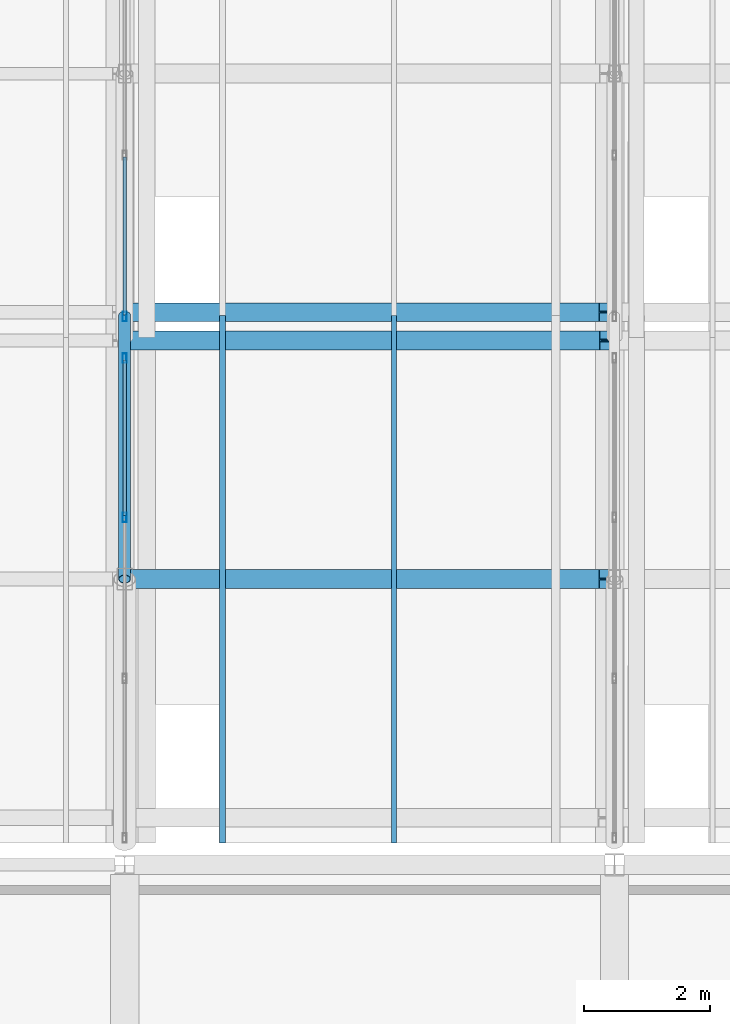
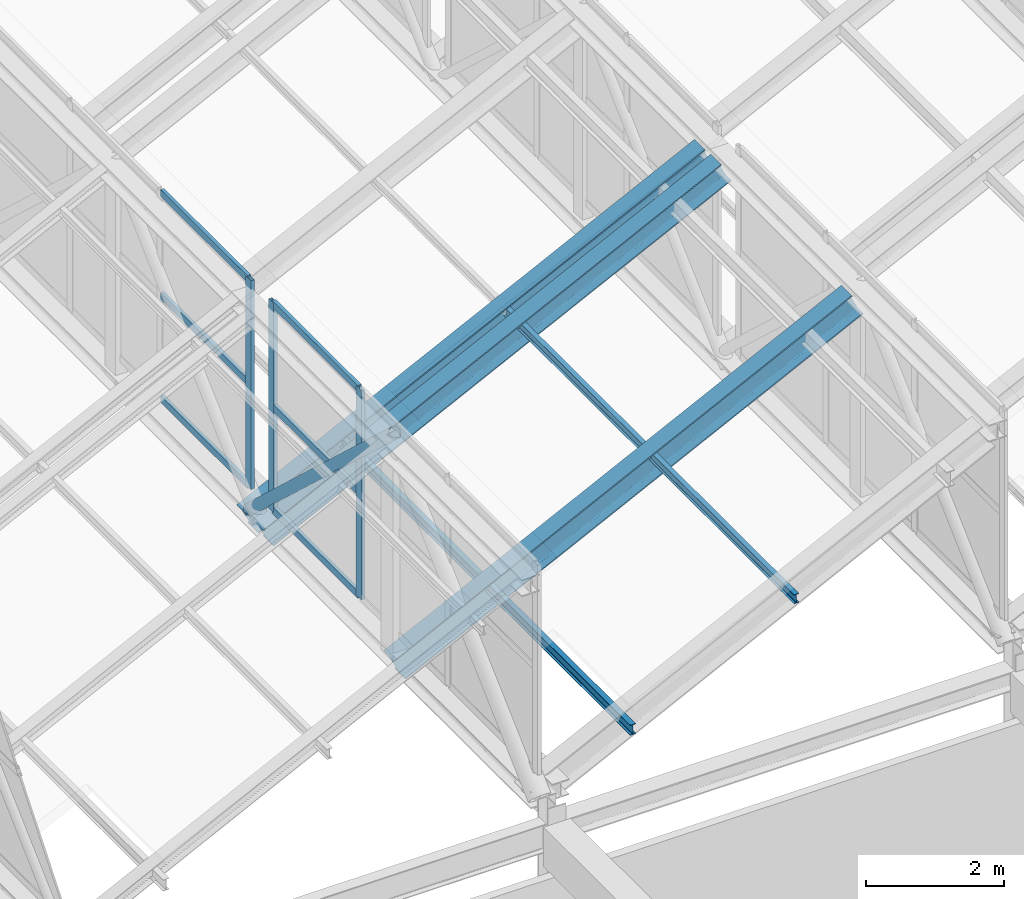
# One storey, part 27 of 101: 15 members, 2 elements without a shape of their own.
"""IFC4 building model written with IfcOpenShell, lengths in metres."""

from ifc_helpers import new_model, si_unit, direction, frame, origin, origin_2d, place, context, subcontext, project, spatial, hollow_rectangle, hollow_circle, i_section, extrude, material, layer, layer_set, material_profile, profile_set, type_object, element, aggregate, save


model = new_model("IFC4")

# Units and contexts
model_context = context("Model", 3, precision=1e-05, world=origin(), true_north=direction((0.0, 1.0)))
body_context = subcontext(model_context, "Body", "Model", "MODEL_VIEW")
ifc_project = project(units=[si_unit("LENGTHUNIT", "METRE"), si_unit("AREAUNIT", "SQUARE_METRE"), si_unit("VOLUMEUNIT", "CUBIC_METRE"), si_unit("PLANEANGLEUNIT", "RADIAN"), si_unit("MASSUNIT", "GRAM", prefix="KILO")], contexts=[model_context])

# Site, building, storey
site_placement = place(None, origin())
site = spatial("IfcSite", under=ifc_project, at=site_placement, CompositionType="ELEMENT")
building_placement = place(site_placement, origin())
building = spatial("IfcBuilding", under=site, at=building_placement, Name="Zizhar Promenade General Hospital", CompositionType="ELEMENT")
storey_placement = place(building_placement, frame((0.0, 0.0, 14.39990234375)))
storey = spatial("IfcBuildingStorey", under=building, at=storey_placement, Name="L03", CompositionType="ELEMENT", Elevation=14.39990234375)

# Curtain wall, members
ifc_material_1 = material(Name="Anodised aluminium 6063-T6 and low-E glass", Category="aluminium")
ifc_layer_1 = layer(ifc_material_1, 0.159912109375)
ifc_layer_set_1 = layer_set([ifc_layer_1], Name="Anodised aluminium 6063-T6 and low-E glass")
curtain_wall_type_1 = type_object("IfcCurtainWallType", Name="CW-SAW-NL1", PredefinedType="NOTDEFINED", material=ifc_layer_set_1)
curtain_wall_1_placement = place(storey_placement, origin())
curtain_wall_1 = element("IfcCurtainWall", 1, at=curtain_wall_1_placement, inside=storey, type_object=curtain_wall_type_1, Name="Sawtooth Clerestory Light B4-S1", PredefinedType="NOTDEFINED")
ifc_material_2 = material(Name="Anodised aluminium 6063-T6", Category="aluminium")
ifc_material_profile_1 = material_profile(ifc_material_2, hollow_rectangle(XDim=0.06005859375, YDim=0.14990234375, WallThickness=0.00390625, at=origin_2d()))
ifc_profile_set_1 = profile_set([ifc_material_profile_1], Name="Anodised aluminium 6063-T6")
member_type_1 = type_object("IfcMemberType", Name="CWM-ALU-150x60", PredefinedType="MULLION", material=ifc_profile_set_1)
member_1_placement = place(storey_placement, frame((101.39990234375, 30.7333984375, 3.85009765625), z_axis=(0.0, 0.0, 1.0), x_axis=(-1.0, 0.0, 0.0)))
member_1 = element("IfcMember", 2, at=member_1_placement, type_object=member_type_1, Name="CW-03 mullion 3", PredefinedType="MULLION", context=body_context, shape_type="SweptSolid", body=[
    extrude(hollow_rectangle(XDim=0.06005859375, YDim=0.14990234375, WallThickness=0.00390625, at=origin_2d()), origin(), (0.0, 0.0, 1.0), 3.699951171875),
])
member_2_placement = place(storey_placement, frame((101.39990234375, 33.27001953125, 3.85009765625), z_axis=(0.0, 0.0, 1.0), x_axis=(-1.0, 0.0, 0.0)))
member_2 = element("IfcMember", 3, at=member_2_placement, type_object=member_type_1, Name="CW-03 mullion 4", PredefinedType="MULLION", context=body_context, shape_type="SweptSolid", body=[
    extrude(hollow_rectangle(XDim=0.06005859375, YDim=0.14990234375, WallThickness=0.00390625, at=origin_2d()), origin(), (0.0, 0.0, 1.0), 3.699951171875),
])

# Curtain wall, member
ifc_material_3 = material(Name="Anodised aluminium 6063-T6 and low-E glass", Category="aluminium")
ifc_layer_2 = layer(ifc_material_3, 0.159912109375)
ifc_layer_set_2 = layer_set([ifc_layer_2], Name="Anodised aluminium 6063-T6 and low-E glass")
curtain_wall_type_2 = type_object("IfcCurtainWallType", Name="CW-SAW-NL2", PredefinedType="NOTDEFINED", material=ifc_layer_set_2)
curtain_wall_2_placement = place(storey_placement, origin())
curtain_wall_2 = element("IfcCurtainWall", 4, at=curtain_wall_2_placement, inside=storey, type_object=curtain_wall_type_2, Name="Sawtooth Clerestory Light B4-S2", PredefinedType="NOTDEFINED")
member_3_placement = place(storey_placement, frame((101.39990234375, 33.929931640625, 3.85009765625), z_axis=(0.0, 0.0, 1.0), x_axis=(-1.0, 0.0, 0.0)))
member_3 = element("IfcMember", 5, at=member_3_placement, type_object=member_type_1, Name="CW-04 mullion 1", PredefinedType="MULLION", context=body_context, shape_type="SweptSolid", body=[
    extrude(hollow_rectangle(XDim=0.06005859375, YDim=0.14990234375, WallThickness=0.00390625, at=origin_2d()), origin(), (0.0, 0.0, 1.0), 3.699951171875),
])

# Member
ifc_material_4 = material(Name="Anodised aluminium 6063-T6", Category="aluminium")
ifc_material_profile_2 = material_profile(ifc_material_4, hollow_rectangle(XDim=0.06005859375, YDim=0.1201171875, WallThickness=0.00390625, at=origin_2d()))
ifc_profile_set_2 = profile_set([ifc_material_profile_2], Name="Anodised aluminium 6063-T6")
member_type_2 = type_object("IfcMemberType", Name="CWT-ALU-120x60", PredefinedType="USERDEFINED", material=ifc_profile_set_2)
member_4_placement = place(storey_placement, frame((101.39990234375, 30.763427734375, 3.880126953125), z_axis=(0.0, 1.0, 0.0), x_axis=(-1.0, 0.0, 0.0)))
member_4 = element("IfcMember", 6, at=member_4_placement, type_object=member_type_2, Name="CW-03 transom 3.1", ObjectType="TRANSOM", PredefinedType="USERDEFINED", context=body_context, shape_type="SweptSolid", body=[
    extrude(hollow_rectangle(XDim=0.06005859375, YDim=0.1201171875, WallThickness=0.00390625, at=origin_2d()), origin(), (0.0, 0.0, 1.0), 2.4765625),
])

member_5_placement = place(storey_placement, frame((101.39990234375, 30.763427734375, 5.7001953125), z_axis=(0.0, 1.0, 0.0), x_axis=(-1.0, 0.0, 0.0)))
member_5 = element("IfcMember", 7, at=member_5_placement, type_object=member_type_2, Name="CW-03 transom 3.2", ObjectType="TRANSOM", PredefinedType="USERDEFINED", context=body_context, shape_type="SweptSolid", body=[
    extrude(hollow_rectangle(XDim=0.06005859375, YDim=0.1201171875, WallThickness=0.00390625, at=origin_2d()), origin(), (0.0, 0.0, 1.0), 2.4765625),
])

member_6_placement = place(storey_placement, frame((101.39990234375, 30.763427734375, 7.52001953125), z_axis=(0.0, 1.0, 0.0), x_axis=(-1.0, 0.0, 0.0)))
member_6 = element("IfcMember", 8, at=member_6_placement, type_object=member_type_2, Name="CW-03 transom 3.3", ObjectType="TRANSOM", PredefinedType="USERDEFINED", context=body_context, shape_type="SweptSolid", body=[
    extrude(hollow_rectangle(XDim=0.06005859375, YDim=0.1201171875, WallThickness=0.00390625, at=origin_2d()), origin(), (0.0, 0.0, 1.0), 2.4765625),
])

aggregate(curtain_wall_1, [member_1, member_2, member_4, member_5, member_6])

member_7_placement = place(storey_placement, frame((101.39990234375, 33.9599609375, 3.880126953125), z_axis=(0.0, 1.0, 0.0), x_axis=(-1.0, 0.0, 0.0)))
member_7 = element("IfcMember", 9, at=member_7_placement, type_object=member_type_2, Name="CW-04 transom 1.1", ObjectType="TRANSOM", PredefinedType="USERDEFINED", context=body_context, shape_type="SweptSolid", body=[
    extrude(hollow_rectangle(XDim=0.06005859375, YDim=0.1201171875, WallThickness=0.00390625, at=origin_2d()), origin(), (0.0, 0.0, 1.0), 2.510009765625),
])

member_8_placement = place(storey_placement, frame((101.39990234375, 33.9599609375, 5.7001953125), z_axis=(0.0, 1.0, 0.0), x_axis=(-1.0, 0.0, 0.0)))
member_8 = element("IfcMember", 10, at=member_8_placement, type_object=member_type_2, Name="CW-04 transom 1.2", ObjectType="TRANSOM", PredefinedType="USERDEFINED", context=body_context, shape_type="SweptSolid", body=[
    extrude(hollow_rectangle(XDim=0.06005859375, YDim=0.1201171875, WallThickness=0.00390625, at=origin_2d()), origin(), (0.0, 0.0, 1.0), 2.510009765625),
])

member_9_placement = place(storey_placement, frame((101.39990234375, 33.9599609375, 7.52001953125), z_axis=(0.0, 1.0, 0.0), x_axis=(-1.0, 0.0, 0.0)))
member_9 = element("IfcMember", 11, at=member_9_placement, type_object=member_type_2, Name="CW-04 transom 1.3", ObjectType="TRANSOM", PredefinedType="USERDEFINED", context=body_context, shape_type="SweptSolid", body=[
    extrude(hollow_rectangle(XDim=0.06005859375, YDim=0.1201171875, WallThickness=0.00390625, at=origin_2d()), origin(), (0.0, 0.0, 1.0), 2.510009765625),
])

aggregate(curtain_wall_2, [member_3, member_7, member_8, member_9])

# Members
ifc_material_5 = material(Name="Steel S355", Category="steel")
ifc_material_profile_3 = material_profile(ifc_material_5, hollow_circle(Radius=0.096923828125, WallThickness=0.008056640625, at=origin_2d()))
ifc_profile_set_3 = profile_set([ifc_material_profile_3], Name="Steel S355")
member_type_3 = type_object("IfcMemberType", Name="MEM-DIAG-CHS194", PredefinedType="BRACE", material=ifc_profile_set_3)
member_10_placement = place(storey_placement, frame((101.39990234375, 33.949951171875, 3.4501953125), z_axis=(0.0, -0.732798043082, 0.680446197767), x_axis=(1.0, 0.0, 0.0)))
element("IfcMember", 12, at=member_10_placement, inside=storey, type_object=member_type_3, Name="Sawtooth Truss Frame 5 Diagonal B1", PredefinedType="BRACE", context=body_context, shape_type="SweptSolid", body=[
    extrude(hollow_circle(Radius=0.096923828125, WallThickness=0.008056640625, at=origin_2d()), origin(), (0.0, 0.0, 1.0), 5.7314453125),
])
ifc_material_6 = material(Name="Steel S355", Category="steel")
ifc_material_profile_4 = material_profile(ifc_material_6, i_section(OverallWidth=0.08203125, OverallDepth=0.159912109375, WebThickness=0.0048828125, FlangeThickness=0.00732421875, FilletRadius=0.009033203125, at=origin_2d()))
ifc_profile_set_4 = profile_set([ifc_material_profile_4], Name="Steel S355")
member_type_4 = type_object("IfcMemberType", Name="MEM-PURL-IPE160", PredefinedType="PURLIN", material=ifc_profile_set_4)
member_11_placement = place(storey_placement, frame((105.68994140625, 25.550048828125, 5.464599609375), z_axis=(0.0, 1.0, 0.0), x_axis=(-1.0, 0.0, 0.0)))
element("IfcMember", 13, at=member_11_placement, inside=storey, type_object=member_type_4, Name="Sawtooth Bay 5 Purlin 1-2", PredefinedType="PURLIN", context=body_context, shape_type="SweptSolid", body=[
    extrude(i_section(OverallWidth=0.08203125, OverallDepth=0.159912109375, WebThickness=0.0048828125, FlangeThickness=0.00732421875, FilletRadius=0.009033203125, at=origin_2d()), origin(), (0.0, 0.0, 1.0), 8.39990234375),
])
ifc_material_7 = material(Name="Steel S355", Category="steel")
ifc_material_profile_5 = material_profile(ifc_material_7, i_section(OverallWidth=0.091064453125, OverallDepth=0.179931640625, WebThickness=0.00537109375, FlangeThickness=0.008056640625, FilletRadius=0.009033203125, at=origin_2d()))
ifc_profile_set_5 = profile_set([ifc_material_profile_5], Name="Steel S355")
member_type_5 = type_object("IfcMemberType", Name="MEM-PURL-IPE180", PredefinedType="PURLIN", material=ifc_profile_set_5)
member_12_placement = place(storey_placement, frame((102.9599609375, 25.550048828125, 4.107177734375), z_axis=(0.0, 1.0, 0.0), x_axis=(-1.0, 0.0, 0.0)))
element("IfcMember", 14, at=member_12_placement, inside=storey, type_object=member_type_5, Name="Sawtooth Bay 5 Purlin 1-1", PredefinedType="PURLIN", context=body_context, shape_type="SweptSolid", body=[
    extrude(i_section(OverallWidth=0.091064453125, OverallDepth=0.179931640625, WebThickness=0.00537109375, FlangeThickness=0.008056640625, FilletRadius=0.009033203125, at=origin_2d()), origin(), (0.0, 0.0, 1.0), 8.39990234375),
])
ifc_material_8 = material(Name="Steel S355", Category="steel")
ifc_material_profile_6 = material_profile(ifc_material_8, i_section(OverallWidth=0.300048828125, OverallDepth=0.389892578125, WebThickness=0.010986328125, FlangeThickness=0.01904296875, FilletRadius=0.027099609375, at=origin_2d()))
ifc_profile_set_6 = profile_set([ifc_material_profile_6], Name="Steel S355")
member_type_6 = type_object("IfcMemberType", Name="MEM-RAFT-HEA400", PredefinedType="RAFTER", material=ifc_profile_set_6)
member_13_placement = place(storey_placement, frame((101.39990234375, 33.550048828125, 3.27587890625), z_axis=(0.896721845806, 0.0, 0.442594544989), x_axis=(0.0, 1.0, 0.0)))
element("IfcMember", 15, at=member_13_placement, inside=storey, type_object=member_type_6, Name="Sawtooth Bay 5 Rafter 1-3", PredefinedType="RAFTER", context=body_context, shape_type="SweptSolid", body=[
    extrude(i_section(OverallWidth=0.300048828125, OverallDepth=0.389892578125, WebThickness=0.010986328125, FlangeThickness=0.01904296875, FilletRadius=0.027099609375, at=origin_2d()), origin(), (0.0, 0.0, 1.0), 8.53125),
])
ifc_material_9 = material(Name="Steel S355", Category="steel")
ifc_material_profile_7 = material_profile(ifc_material_9, i_section(OverallWidth=0.300048828125, OverallDepth=0.43994140625, WebThickness=0.011474609375, FlangeThickness=0.02099609375, FilletRadius=0.027099609375, at=origin_2d()))
ifc_profile_set_7 = profile_set([ifc_material_profile_7], Name="Steel S355")
member_type_7 = type_object("IfcMemberType", Name="MEM-RAFT-HEA450", PredefinedType="RAFTER", material=ifc_profile_set_7)
for number, where, z_axis, x_axis, name in (
    (16, (101.39990234375, 29.75, 3.247802734375), (0.896710487916, 0.0, 0.442617555979), (0.0, 1.0, 0.0), "Sawtooth Bay 5 Rafter 1-2"),
    (17, (101.39990234375, 34.0, 3.247802734375), (0.896710487916, 0.0, 0.442617555979), (0.0, 1.0, 0.0), "Sawtooth Bay 5 Rafter 2-1"),
):
    element("IfcMember", number, at=place(storey_placement, frame(where, z_axis=z_axis, x_axis=x_axis)), inside=storey, type_object=member_type_7, Name=name, PredefinedType="RAFTER", context=body_context, shape_type="SweptSolid", body=[
        extrude(i_section(OverallWidth=0.300048828125, OverallDepth=0.43994140625, WebThickness=0.011474609375, FlangeThickness=0.02099609375, FilletRadius=0.027099609375, at=origin_2d()), origin(), (0.0, 0.0, 1.0), 8.53125),
    ])

save(model, "model.ifc")
